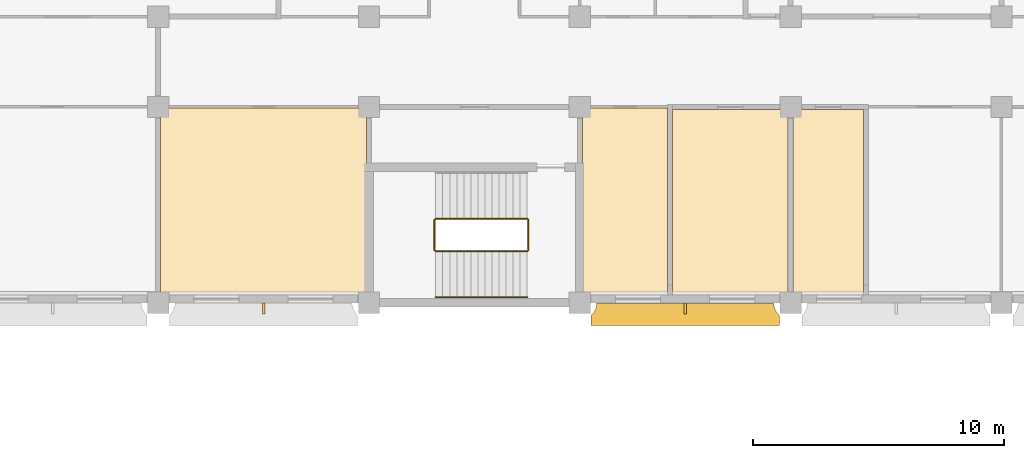
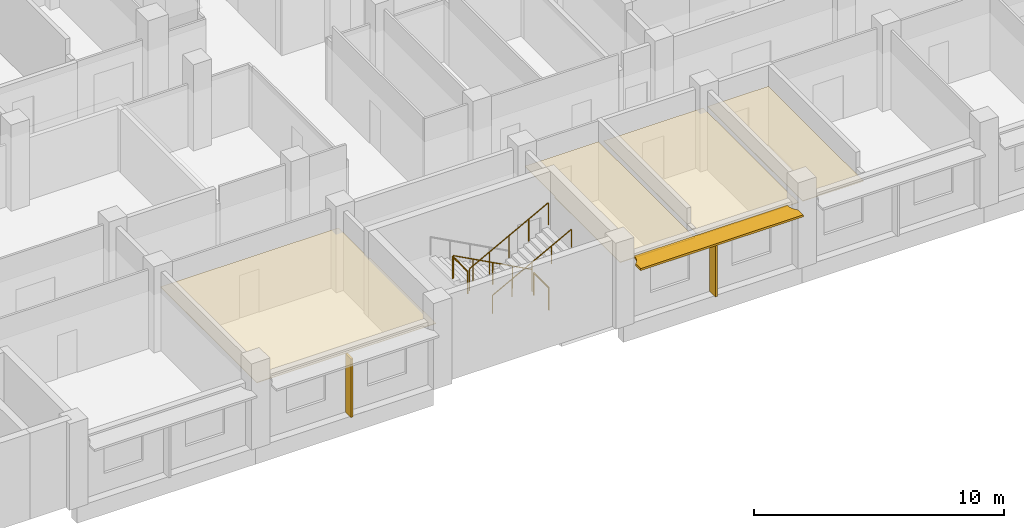
# One storey, part 102 of 109: 5 railings, 4 coverings, 3 shading devices.
"""IFC4 building model written with IfcOpenShell, lengths in metres."""

from ifc_helpers import new_model, si_unit, direction, frame, origin, origin_2d, place, context, subcontext, project, spatial, polyline, rectangle, circle, outline, extrude, material, layer, layer_set, material_profile, profile_set, type_object, element, save


model = new_model("IFC4")

# Units and contexts
model_context = context("Model", 3, precision=1e-05, world=origin(), true_north=direction((0.0, 1.0)))
body_context = subcontext(model_context, "Body", "Model", "MODEL_VIEW")
ifc_project = project(units=[si_unit("LENGTHUNIT", "METRE"), si_unit("AREAUNIT", "SQUARE_METRE"), si_unit("VOLUMEUNIT", "CUBIC_METRE"), si_unit("PLANEANGLEUNIT", "RADIAN"), si_unit("MASSUNIT", "GRAM", prefix="KILO")], contexts=[model_context])

# Site, building, storey
site_placement = place(None, origin())
site = spatial("IfcSite", under=ifc_project, at=site_placement, CompositionType="ELEMENT")
building_placement = place(site_placement, origin())
building = spatial("IfcBuilding", under=site, at=building_placement, Name="Bougainvillea Quay General Hospital", CompositionType="ELEMENT")
storey_placement = place(building_placement, frame((0.0, 0.0, 12.60009765625)))
storey = spatial("IfcBuildingStorey", under=building, at=storey_placement, Name="L02", CompositionType="ELEMENT", Elevation=12.60009765625)

# Railings
ifc_material_1 = material(Name="Stainless steel 304 balustrade", Category="steel")
railing_type_1 = type_object("IfcRailingType", Name="Stair guard 1100", PredefinedType="GUARDRAIL", material=ifc_material_1)
railing_1_placement = place(storey_placement, frame((123.89990234375, 120.949951171875, 0.14990234375)))
element("IfcRailing", 1, at=railing_1_placement, inside=storey, type_object=railing_type_1, Name="L02 ST-B3 stair guard 1", PredefinedType="GUARDRAIL", context=body_context, shape_type="SweptSolid", body=[
    extrude(circle(Radius=0.02392578125, at=origin_2d()), frame((0.0, 0.0, 1.076171875), z_axis=(-0.881479091078, 0.0, 0.472223053219), x_axis=(0.0, -1.0, 0.0)), (0.0, 0.0, 1.0), 4.12939453125),
    extrude(circle(Radius=0.02099609375, at=origin_2d()), origin(), (0.0, 0.0, 1.0), 1.052001953125),
    extrude(circle(Radius=0.02099609375, at=origin_2d()), frame((-0.909912109375, 0.0, 0.487548828125)), (0.0, 0.0, 1.0), 1.052001953125),
    extrude(circle(Radius=0.02099609375, at=origin_2d()), frame((-1.81982421875, 0.0, 0.97509765625)), (0.0, 0.0, 1.0), 1.052001953125),
    extrude(circle(Radius=0.02099609375, at=origin_2d()), frame((-2.72998046875, 0.0, 1.46240234375)), (0.0, 0.0, 1.0), 1.052001953125),
    extrude(circle(Radius=0.02099609375, at=origin_2d()), frame((-3.639892578125, 0.0, 1.949951171875)), (0.0, 0.0, 1.0), 1.052001953125),
])
railing_2_placement = place(storey_placement, frame((120.2099609375, 120.89990234375, 2.099853515625)))
element("IfcRailing", 2, at=railing_2_placement, inside=storey, type_object=railing_type_1, Name="L02 ST-B3 stair guard 2", PredefinedType="GUARDRAIL", context=body_context, shape_type="SweptSolid", body=[
    extrude(circle(Radius=0.02392578125, at=origin_2d()), frame((0.0, 0.0, 1.076171875), z_axis=(0.0, -1.0, 0.0), x_axis=(1.0, 0.0, 0.0)), (0.0, 0.0, 1.0), 1.199951171875),
    extrude(circle(Radius=0.02099609375, at=origin_2d()), origin(), (0.0, 0.0, 1.0), 1.052001953125),
    extrude(circle(Radius=0.02099609375, at=origin_2d()), frame((0.0, -1.199951171875, 0.0)), (0.0, 0.0, 1.0), 1.052001953125),
])
railing_3_placement = place(storey_placement, frame((120.260009765625, 119.64990234375, 2.25)))
element("IfcRailing", 3, at=railing_3_placement, inside=storey, type_object=railing_type_1, Name="L02 ST-B3 stair guard 3", PredefinedType="GUARDRAIL", context=body_context, shape_type="SweptSolid", body=[
    extrude(circle(Radius=0.02392578125, at=origin_2d()), frame((0.0, 0.0, 1.076171875), z_axis=(0.881479091078, 0.0, 0.472223053219), x_axis=(0.0, 1.0, 0.0)), (0.0, 0.0, 1.0), 4.12939453125),
    extrude(circle(Radius=0.02099609375, at=origin_2d()), origin(), (0.0, 0.0, 1.0), 1.052001953125),
    extrude(circle(Radius=0.02099609375, at=origin_2d()), frame((0.909912109375, 0.0, 0.487548828125)), (0.0, 0.0, 1.0), 1.052001953125),
    extrude(circle(Radius=0.02099609375, at=origin_2d()), frame((1.81982421875, 0.0, 0.97509765625)), (0.0, 0.0, 1.0), 1.052001953125),
    extrude(circle(Radius=0.02099609375, at=origin_2d()), frame((2.72998046875, 0.0, 1.46240234375)), (0.0, 0.0, 1.0), 1.052001953125),
    extrude(circle(Radius=0.02099609375, at=origin_2d()), frame((3.639892578125, 0.0, 1.949951171875)), (0.0, 0.0, 1.0), 1.052001953125),
])
railing_4_placement = place(storey_placement, frame((123.949951171875, 120.89990234375, 0.0)))
element("IfcRailing", 4, at=railing_4_placement, inside=storey, type_object=railing_type_1, Name="L02 ST-B3 stair guard 4", PredefinedType="GUARDRAIL", context=body_context, shape_type="SweptSolid", body=[
    extrude(circle(Radius=0.02392578125, at=origin_2d()), frame((0.0, 0.0, 1.076171875), z_axis=(0.0, -1.0, 0.0), x_axis=(1.0, 0.0, 0.0)), (0.0, 0.0, 1.0), 1.199951171875),
    extrude(circle(Radius=0.02099609375, at=origin_2d()), origin(), (0.0, 0.0, 1.0), 1.052001953125),
    extrude(circle(Radius=0.02099609375, at=origin_2d()), frame((0.0, -1.199951171875, 0.0)), (0.0, 0.0, 1.0), 1.052001953125),
])
ifc_material_2 = material(Name="Stainless steel 304 handrail", Category="steel")
railing_type_2 = type_object("IfcRailingType", Name="Stair handrail 900", PredefinedType="HANDRAIL", material=ifc_material_2)
railing_5_placement = place(storey_placement, frame((120.260009765625, 117.824951171875, 2.25)))
element("IfcRailing", 5, at=railing_5_placement, inside=storey, type_object=railing_type_2, Name="L02 ST-B3 stair handrail 2", PredefinedType="HANDRAIL", context=body_context, shape_type="SweptSolid", body=[
    extrude(circle(Radius=0.02392578125, at=origin_2d()), frame((0.0, 0.0, 0.8759765625), z_axis=(0.881479091078, 0.0, 0.472223053219), x_axis=(0.0, 1.0, 0.0)), (0.0, 0.0, 1.0), 4.12939453125),
    extrude(circle(Radius=0.02099609375, at=origin_2d()), origin(), (0.0, 0.0, 1.0), 0.851806640625),
    extrude(circle(Radius=0.02099609375, at=origin_2d()), frame((0.909912109375, 0.0, 0.487548828125)), (0.0, 0.0, 1.0), 0.851806640625),
    extrude(circle(Radius=0.02099609375, at=origin_2d()), frame((1.81982421875, 0.0, 0.97509765625)), (0.0, 0.0, 1.0), 0.851806640625),
    extrude(circle(Radius=0.02099609375, at=origin_2d()), frame((2.72998046875, 0.0, 1.46240234375)), (0.0, 0.0, 1.0), 0.851806640625),
    extrude(circle(Radius=0.02099609375, at=origin_2d()), frame((3.639892578125, 0.0, 1.949951171875)), (0.0, 0.0, 1.0), 0.851806640625),
])

# Shading device
ifc_material_3 = material(Name="Powder-coated aluminium canopy soffit and fascia, white", Category="aluminium")
ifc_layer_1 = layer(ifc_material_3, 0.10009765625)
ifc_layer_set_1 = layer_set([ifc_layer_1], Name="Powder-coated aluminium canopy soffit and fascia, white")
shading_device_type_1 = type_object("IfcShadingDeviceType", Name="Sunshade 100", PredefinedType="USERDEFINED", material=ifc_layer_set_1)
shading_device_placement = place(storey_placement, frame((0.0, 0.0, 2.849853515625)))
element("IfcShadingDevice", 6, at=shading_device_placement, inside=storey, type_object=shading_device_type_1, Name="Sunshade 0", ObjectType="Sunshade", PredefinedType="USERDEFINED", context=body_context, shape_type="SweptSolid", body=[
    extrude(outline(polyline([(133.72509765625, 117.60009765625), (126.675048828125, 117.60009765625), (126.662109375, 117.46826171875), (126.62353515625, 117.341796875), (126.561279296875, 117.22509765625), (126.521728515625, 117.171875), (126.449951171875, 117.097900390625), (126.449951171875, 116.699951171875), (133.949951171875, 116.699951171875), (133.949951171875, 117.097900390625), (133.878173828125, 117.171875), (133.8388671875, 117.22509765625), (133.7763671875, 117.341796875), (133.738037109375, 117.46826171875), (133.72509765625, 117.60009765625)])), origin(), (0.0, 0.0, 1.0), 0.10009765625),
])

# Coverings
ifc_material_4 = material(Name="Mineral fibre ceiling tile")
ifc_layer_2 = layer(ifc_material_4, 0.030029296875)
ifc_layer_set_2 = layer_set([ifc_layer_2], Name="Mineral fibre ceiling tile")
covering_type = type_object("IfcCoveringType", Name="Suspended ceiling mineral fibre tile", PredefinedType="CEILING", material=ifc_layer_set_2)
covering_1_placement = place(storey_placement, frame((0.0, 0.0, 2.7998046875)))
element("IfcCovering", 7, at=covering_1_placement, inside=storey, type_object=covering_type, Name="Ceiling Library and Reading Room", PredefinedType="CEILING", context=body_context, shape_type="SweptSolid", body=[
    extrude(outline(polyline([(117.550048828125, 122.89990234375), (117.5, 122.89990234375), (117.5, 125.35009765625), (109.300048828125, 125.35009765625), (109.300048828125, 125.300048828125), (109.298095703125, 125.300048828125), (109.298095703125, 117.64794921875), (117.548095703125, 117.64794921875), (117.550048828125, 122.89990234375)])), origin(), (0.0, 0.0, 1.0), 0.030029296875),
])
covering_2_placement = place(storey_placement, frame((0.0, 0.0, 2.7998046875)))
element("IfcCovering", 8, at=covering_2_placement, inside=storey, type_object=covering_type, Name="Ceiling Clinical Trial Consulting Room 01", PredefinedType="CEILING", context=body_context, shape_type="SweptSolid", body=[
    extrude(outline(polyline([(126.10009765625, 125.35009765625), (126.10009765625, 122.89990234375), (126.050048828125, 122.89990234375), (126.050048828125, 117.64794921875), (129.5, 117.64794921875), (129.5, 125.35009765625), (126.10009765625, 125.35009765625)])), origin(), (0.0, 0.0, 1.0), 0.030029296875),
])
covering_3_placement = place(storey_placement, frame((0.0, 0.0, 2.7998046875)))
element("IfcCovering", 9, at=covering_3_placement, inside=storey, type_object=covering_type, Name="Ceiling Research Specimen Processing Laboratory", PredefinedType="CEILING", context=body_context, shape_type="SweptSolid", body=[
    extrude(outline(polyline([(129.699951171875, 125.300048828125), (129.699951171875, 117.697998046875), (134.300048828125, 117.697998046875), (134.300048828125, 125.300048828125), (129.699951171875, 125.300048828125)])), origin(), (0.0, 0.0, 1.0), 0.030029296875),
])
covering_4_placement = place(storey_placement, frame((0.0, 0.0, 2.7998046875)))
element("IfcCovering", 10, at=covering_4_placement, inside=storey, type_object=covering_type, Name="Ceiling Research Cold Store", PredefinedType="CEILING", context=body_context, shape_type="SweptSolid", body=[
    extrude(outline(polyline([(134.5, 125.300048828125), (134.5, 117.697998046875), (137.300048828125, 117.697998046875), (137.300048828125, 125.300048828125), (134.5, 125.300048828125)])), origin(), (0.0, 0.0, 1.0), 0.030029296875),
])

# Shading devices
ifc_material_5 = material(Name="Powder-coated aluminium fin, white", Category="aluminium")
ifc_material_profile = material_profile(ifc_material_5, rectangle(XDim=0.449951171875, YDim=0.10009765625, at=origin_2d()))
ifc_profile_set = profile_set([ifc_material_profile], Name="Powder-coated aluminium fin, white")
shading_device_type_2 = type_object("IfcShadingDeviceType", Name="Vertical fin 450x100", PredefinedType="USERDEFINED", material=ifc_profile_set)
for number, where, z_axis, x_axis, name in (
    (11, (113.39990234375, 117.375, 0.0), (0.0, 0.0, 1.0), (0.0, -1.0, 0.0), "Vertical fin 04b 1"),
    (12, (130.199951171875, 117.375, 0.0), (0.0, 0.0, 1.0), (0.0, -1.0, 0.0), "Vertical fin 04c 1"),
):
    element("IfcShadingDevice", number, at=place(storey_placement, frame(where, z_axis=z_axis, x_axis=x_axis)), inside=storey, type_object=shading_device_type_2, Name=name, ObjectType="Vertical fin", PredefinedType="USERDEFINED", context=body_context, shape_type="SweptSolid", body=[
        extrude(rectangle(XDim=0.449951171875, YDim=0.10009765625, at=origin_2d()), origin(), (0.0, 0.0, 1.0), 2.849853515625),
    ])

save(model, "model.ifc")
